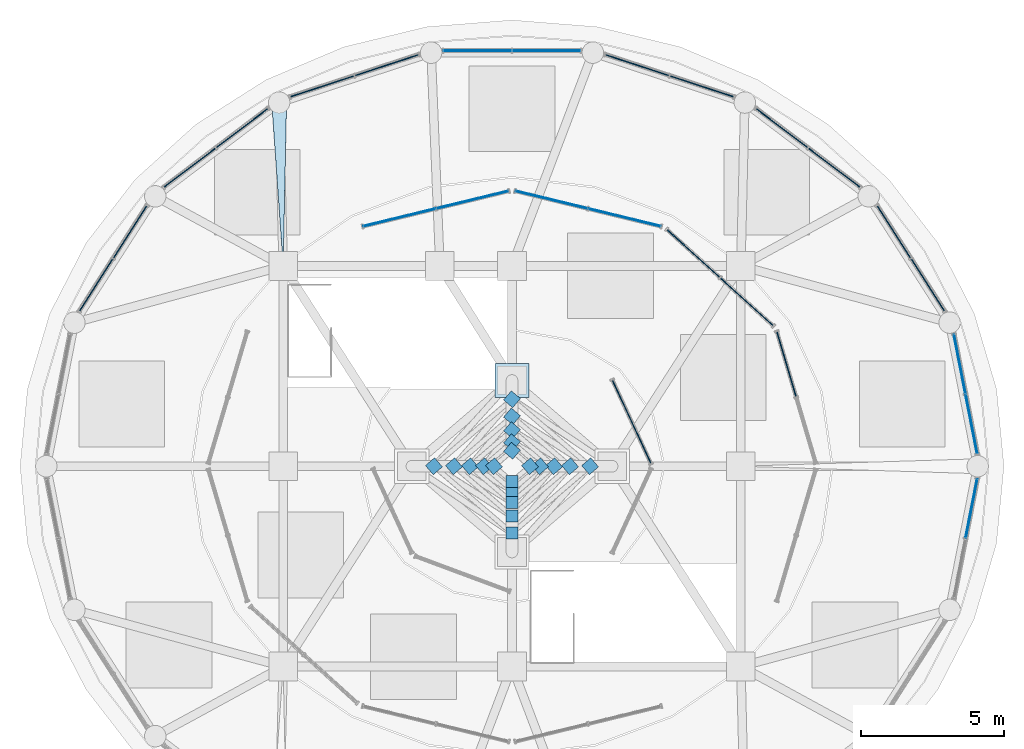
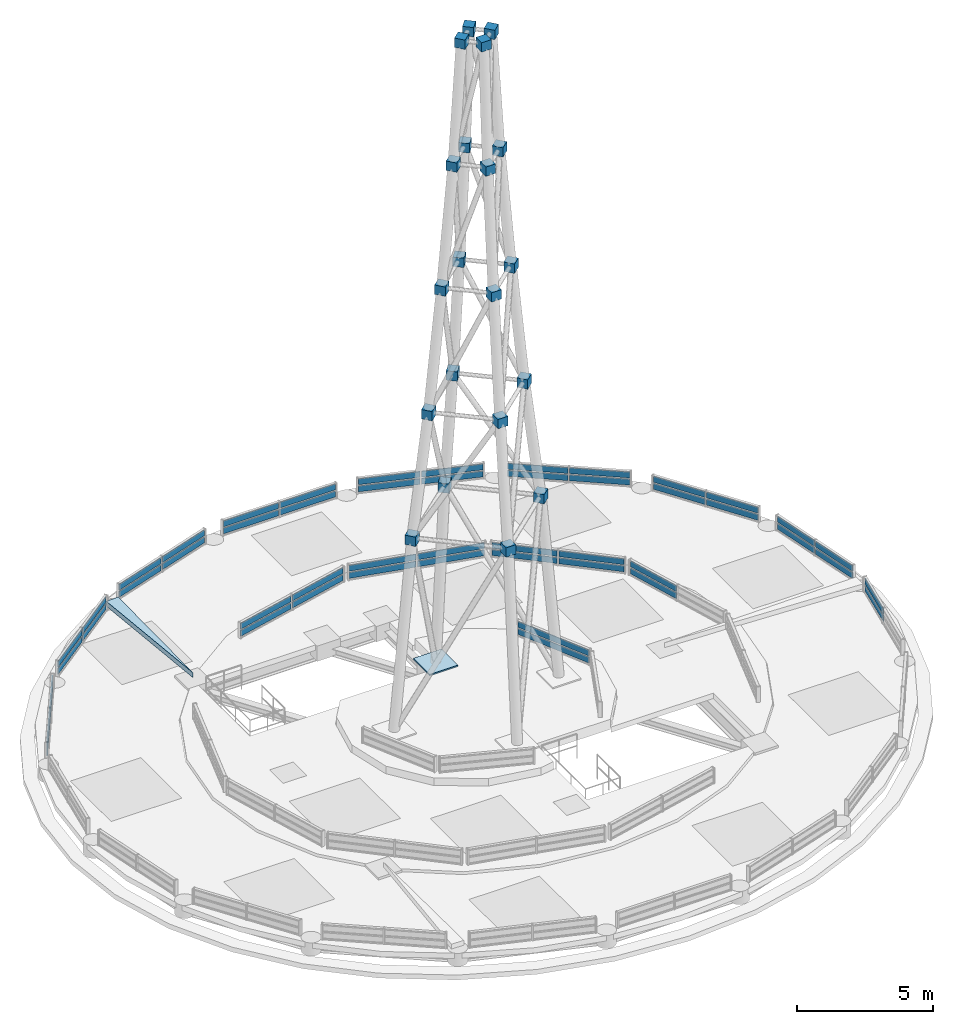
# One storey, part 20 of 21: 51 plates, 20 discrete accessories, 1 slab, 14 elements without a shape of their own.
"""IFC4 building model written with IfcOpenShell, lengths in metres."""

from ifc_helpers import new_model, si_unit, direction, frame, origin, origin_2d, place, context, subcontext, project, spatial, polyline, rectangle, outline, extrude, source, transform, mapped, material, layer, layer_set, type_object, element, aggregate, save


model = new_model("IFC4")

# Units and contexts
model_context = context("Model", 3, precision=1e-05, world=origin(), true_north=direction((0.0, 1.0)))
body_context = subcontext(model_context, "Body", "Model", "MODEL_VIEW")
ifc_project = project(units=[si_unit("LENGTHUNIT", "METRE"), si_unit("AREAUNIT", "SQUARE_METRE"), si_unit("VOLUMEUNIT", "CUBIC_METRE"), si_unit("PLANEANGLEUNIT", "RADIAN"), si_unit("MASSUNIT", "GRAM", prefix="KILO")], contexts=[model_context])

# Site, building, storey
site_placement = place(None, origin())
site = spatial("IfcSite", under=ifc_project, at=site_placement, CompositionType="ELEMENT")
building_placement = place(site_placement, origin())
building = spatial("IfcBuilding", under=site, at=building_placement, Name="Kelanora Arch Commons", CompositionType="ELEMENT")
storey_placement = place(building_placement, frame((0.0, 0.0, 311.10009765625)))
storey = spatial("IfcBuildingStorey", under=building, at=storey_placement, Name="RF", CompositionType="ELEMENT", Elevation=311.10009765625)

# Slab
ifc_material_1 = material(Name="Concrete C40/50", Category="concrete")
ifc_layer_1 = layer(ifc_material_1, 0.219970703125)
ifc_layer_set_1 = layer_set([ifc_layer_1], Name="Concrete C40/50")
slab_type = type_object("IfcSlabType", Name="SLB-DRUM-SLOPE", PredefinedType="ROOF", material=ifc_layer_set_1)
slab_placement = place(storey_placement, frame((65.60009765625, 70.706787109375, 0.829833984375), z_axis=(-0.000435821738, 0.01750687699, 0.9998466479), x_axis=(0.99969028045, 0.024886606324, 0.0)))
element("IfcSlab", 1, at=slab_placement, inside=storey, type_object=slab_type, Name="Sloped Crown Hip Rib 02A", PredefinedType="ROOF", context=body_context, shape_type="SweptSolid", body=[
    extrude(outline(polyline([(0.0, 0.0), (0.5199364251007478, 0.0), (0.2577559220099437, -5.715848355381812), (0.0, 0.0)])), origin(), (0.0, 0.0, -1.0), 0.219970703125),
])

# Plate
ifc_material_2 = material(Name="Steel S355", Category="steel")
ifc_layer_2 = layer(ifc_material_2, 0.06005859375)
ifc_layer_set_2 = layer_set([ifc_layer_2], Name="Steel S355")
plate_type_1 = type_object("IfcPlateType", Name="PLT-MAST-BASE", PredefinedType="SHEET", material=ifc_layer_set_2)
shared_shape_1 = source(origin(), body_context, "Body", "SweptSolid", [
    extrude(rectangle(XDim=1.199951171875, YDim=1.199951171875, at=origin_2d()), origin(), (0.0, 0.0, 1.0), 0.06005859375),
])
plate_1_placement = place(storey_placement, frame((74.0, 61.0, 0.999755859375), z_axis=(0.0, 0.0, 1.0), x_axis=(1.0, 0.0, 0.0)))
element("IfcPlate", 2, at=plate_1_placement, inside=storey, type_object=plate_type_1, Name="Broadcast Mast Base Plate 04", PredefinedType="SHEET", context=body_context, shape_type="MappedRepresentation", body=[
    mapped(shared_shape_1, transform((0.0, 0.0, 0.0), scale=1.0)),
])

# Curtain wall, plates
ifc_material_3 = material(Name="Terracotta ceramic-fritted low-E glass and aluminium", Category="masonry")
ifc_layer_3 = layer(ifc_material_3, 0.14990234375)
ifc_layer_set_3 = layer_set([ifc_layer_3], Name="Terracotta ceramic-fritted low-E glass and aluminium")
curtain_wall_type = type_object("IfcCurtainWallType", Name="CW-SYS-06", PredefinedType="NOTDEFINED", material=ifc_layer_set_3)
curtain_wall_1_placement = place(storey_placement, origin())
curtain_wall_1 = element("IfcCurtainWall", 3, at=curtain_wall_1_placement, inside=storey, type_object=curtain_wall_type, Name="Sloped Glass Crown Lantern T1-01", PredefinedType="NOTDEFINED")
ifc_material_4 = material(Name="Clear laminated solar-control double glazing", Category="glass")
ifc_layer_4 = layer(ifc_material_4, 0.033935546875)
ifc_layer_set_4 = layer_set([ifc_layer_4], Name="Clear laminated solar-control double glazing")
plate_type_2 = type_object("IfcPlateType", Name="CWP-CLR", PredefinedType="CURTAIN_PANEL", material=ifc_layer_set_4)
shared_shape_2 = source(origin(), body_context, "Body", "SweptSolid", [
    extrude(rectangle(XDim=2.080078125, YDim=0.033935546875, at=origin_2d()), origin(), (0.0, 0.0, 1.0), 0.260009765625),
])
plate_2_placement = place(storey_placement, frame((90.062255859375, 59.47216796875, 0.64990234375), z_axis=(0.0, 0.0, 1.0), x_axis=(-0.191834076021, 0.98142737239, 0.0)))
plate_2 = element("IfcPlate", 4, at=plate_2_placement, type_object=plate_type_2, Name="CW-06 panel 1.1", PredefinedType="CURTAIN_PANEL", context=body_context, shape_type="MappedRepresentation", body=[
    mapped(shared_shape_2, transform((0.0, 0.0, 0.0), scale=1.0)),
])
plate_3_placement = place(storey_placement, frame((90.062255859375, 59.47216796875, 0.9697265625), z_axis=(0.0, 0.0, 1.0), x_axis=(-0.191834076021, 0.98142737239, 0.0)))
plate_3 = element("IfcPlate", 5, at=plate_3_placement, type_object=plate_type_2, Name="CW-06 panel 1.2", PredefinedType="CURTAIN_PANEL", context=body_context, shape_type="MappedRepresentation", body=[
    mapped(shared_shape_2, transform((0.0, 0.0, 0.0), scale=1.0)),
])
plate_4_placement = place(storey_placement, frame((89.651611328125, 61.572509765625, 0.64990234375), z_axis=(0.0, 0.0, 1.0), x_axis=(-0.191834076021, 0.98142737239, 0.0)))
plate_4 = element("IfcPlate", 6, at=plate_4_placement, type_object=plate_type_2, Name="CW-06 panel 2.1", PredefinedType="CURTAIN_PANEL", context=body_context, shape_type="MappedRepresentation", body=[
    mapped(shared_shape_2, transform((0.0, 0.0, 0.0), scale=1.0)),
])
plate_5_placement = place(storey_placement, frame((89.651611328125, 61.572509765625, 0.9697265625), z_axis=(0.0, 0.0, 1.0), x_axis=(-0.191834076021, 0.98142737239, 0.0)))
plate_5 = element("IfcPlate", 7, at=plate_5_placement, type_object=plate_type_2, Name="CW-06 panel 2.2", PredefinedType="CURTAIN_PANEL", context=body_context, shape_type="MappedRepresentation", body=[
    mapped(shared_shape_2, transform((0.0, 0.0, 0.0), scale=1.0)),
])
aggregate(curtain_wall_1, [plate_2, plate_3, plate_4, plate_5])

curtain_wall_2_placement = place(storey_placement, origin())
curtain_wall_2 = element("IfcCurtainWall", 8, at=curtain_wall_2_placement, inside=storey, type_object=curtain_wall_type, Name="Sloped Glass Crown Lantern T1-18", PredefinedType="NOTDEFINED")
plate_6_placement = place(storey_placement, frame((90.062255859375, 56.52783203125, 0.64990234375), z_axis=(0.0, 0.0, 1.0), x_axis=(0.191834076021, 0.98142737239, 0.0)))
plate_6 = element("IfcPlate", 9, at=plate_6_placement, type_object=plate_type_2, Name="CW-06 panel 2.1", PredefinedType="CURTAIN_PANEL", context=body_context, shape_type="MappedRepresentation", body=[
    mapped(shared_shape_2, transform((0.0, 0.0, 0.0), scale=1.0)),
])
plate_7_placement = place(storey_placement, frame((90.062255859375, 56.52783203125, 0.9697265625), z_axis=(0.0, 0.0, 1.0), x_axis=(0.191834076021, 0.98142737239, 0.0)))
plate_7 = element("IfcPlate", 10, at=plate_7_placement, type_object=plate_type_2, Name="CW-06 panel 2.2", PredefinedType="CURTAIN_PANEL", context=body_context, shape_type="MappedRepresentation", body=[
    mapped(shared_shape_2, transform((0.0, 0.0, 0.0), scale=1.0)),
])
aggregate(curtain_wall_2, [plate_6, plate_7])

curtain_wall_3_placement = place(storey_placement, origin())
curtain_wall_3 = element("IfcCurtainWall", 11, at=curtain_wall_3_placement, inside=storey, type_object=curtain_wall_type, Name="Sloped Glass Crown Lantern T1-02", PredefinedType="NOTDEFINED")
shared_shape_3 = source(origin(), body_context, "Body", "SweptSolid", [
    extrude(rectangle(XDim=2.1435546875, YDim=0.033935546875, at=origin_2d()), origin(), (0.0, 0.0, 1.0), 0.260009765625),
])
plate_8_placement = place(storey_placement, frame((88.538330078125, 64.3349609375, 0.64990234375), z_axis=(0.0, 0.0, 1.0), x_axis=(-0.539053696421, 0.842271400663, 0.0)))
plate_8 = element("IfcPlate", 12, at=plate_8_placement, type_object=plate_type_2, Name="CW-06 panel 1.1", PredefinedType="CURTAIN_PANEL", context=body_context, shape_type="MappedRepresentation", body=[
    mapped(shared_shape_3, transform((0.0, 0.0, 0.0), scale=1.0)),
])
plate_9_placement = place(storey_placement, frame((88.538330078125, 64.3349609375, 0.9697265625), z_axis=(0.0, 0.0, 1.0), x_axis=(-0.539053696421, 0.842271400663, 0.0)))
plate_9 = element("IfcPlate", 13, at=plate_9_placement, type_object=plate_type_2, Name="CW-06 panel 1.2", PredefinedType="CURTAIN_PANEL", context=body_context, shape_type="MappedRepresentation", body=[
    mapped(shared_shape_3, transform((0.0, 0.0, 0.0), scale=1.0)),
])
plate_10_placement = place(storey_placement, frame((87.3505859375, 66.19091796875, 0.64990234375), z_axis=(0.0, 0.0, 1.0), x_axis=(-0.539053696421, 0.842271400663, 0.0)))
plate_10 = element("IfcPlate", 14, at=plate_10_placement, type_object=plate_type_2, Name="CW-06 panel 2.1", PredefinedType="CURTAIN_PANEL", context=body_context, shape_type="MappedRepresentation", body=[
    mapped(shared_shape_3, transform((0.0, 0.0, 0.0), scale=1.0)),
])
plate_11_placement = place(storey_placement, frame((87.3505859375, 66.19091796875, 0.9697265625), z_axis=(0.0, 0.0, 1.0), x_axis=(-0.539053696421, 0.842271400663, 0.0)))
plate_11 = element("IfcPlate", 15, at=plate_11_placement, type_object=plate_type_2, Name="CW-06 panel 2.2", PredefinedType="CURTAIN_PANEL", context=body_context, shape_type="MappedRepresentation", body=[
    mapped(shared_shape_3, transform((0.0, 0.0, 0.0), scale=1.0)),
])
aggregate(curtain_wall_3, [plate_8, plate_9, plate_10, plate_11])

curtain_wall_4_placement = place(storey_placement, origin())
curtain_wall_4 = element("IfcCurtainWall", 16, at=curtain_wall_4_placement, inside=storey, type_object=curtain_wall_type, Name="Sloped Glass Crown Lantern T1-08", PredefinedType="NOTDEFINED")
plate_12_placement = place(storey_placement, frame((60.6494140625, 66.19091796875, 0.64990234375), z_axis=(0.0, 0.0, 1.0), x_axis=(-0.539053696421, -0.842271400663, 0.0)))
plate_12 = element("IfcPlate", 17, at=plate_12_placement, type_object=plate_type_2, Name="CW-06 panel 1.1", PredefinedType="CURTAIN_PANEL", context=body_context, shape_type="MappedRepresentation", body=[
    mapped(shared_shape_3, transform((0.0, 0.0, 0.0), scale=1.0)),
])
plate_13_placement = place(storey_placement, frame((60.6494140625, 66.19091796875, 0.9697265625), z_axis=(0.0, 0.0, 1.0), x_axis=(-0.539053696421, -0.842271400663, 0.0)))
plate_13 = element("IfcPlate", 18, at=plate_13_placement, type_object=plate_type_2, Name="CW-06 panel 1.2", PredefinedType="CURTAIN_PANEL", context=body_context, shape_type="MappedRepresentation", body=[
    mapped(shared_shape_3, transform((0.0, 0.0, 0.0), scale=1.0)),
])
plate_14_placement = place(storey_placement, frame((59.461669921875, 64.3349609375, 0.64990234375), z_axis=(0.0, 0.0, 1.0), x_axis=(-0.539053696421, -0.842271400663, 0.0)))
plate_14 = element("IfcPlate", 19, at=plate_14_placement, type_object=plate_type_2, Name="CW-06 panel 2.1", PredefinedType="CURTAIN_PANEL", context=body_context, shape_type="MappedRepresentation", body=[
    mapped(shared_shape_3, transform((0.0, 0.0, 0.0), scale=1.0)),
])
plate_15_placement = place(storey_placement, frame((59.461669921875, 64.3349609375, 0.9697265625), z_axis=(0.0, 0.0, 1.0), x_axis=(-0.539053696421, -0.842271400663, 0.0)))
plate_15 = element("IfcPlate", 20, at=plate_15_placement, type_object=plate_type_2, Name="CW-06 panel 2.2", PredefinedType="CURTAIN_PANEL", context=body_context, shape_type="MappedRepresentation", body=[
    mapped(shared_shape_3, transform((0.0, 0.0, 0.0), scale=1.0)),
])
aggregate(curtain_wall_4, [plate_12, plate_13, plate_14, plate_15])

curtain_wall_5_placement = place(storey_placement, origin())
curtain_wall_5 = element("IfcCurtainWall", 21, at=curtain_wall_5_placement, inside=storey, type_object=curtain_wall_type, Name="Sloped Glass Crown Lantern T1-03", PredefinedType="NOTDEFINED")
shared_shape_4 = source(origin(), body_context, "Body", "SweptSolid", [
    extrude(rectangle(XDim=2.23779296875, YDim=0.033935546875, at=origin_2d()), origin(), (0.0, 0.0, 1.0), 0.260009765625),
])
plate_16_placement = place(storey_placement, frame((85.265869140625, 68.43408203125, 0.64990234375), z_axis=(0.0, 0.0, 1.0), x_axis=(-0.797311399937, 0.603568166432, 0.0)))
plate_16 = element("IfcPlate", 22, at=plate_16_placement, type_object=plate_type_2, Name="CW-06 panel 1.1", PredefinedType="CURTAIN_PANEL", context=body_context, shape_type="MappedRepresentation", body=[
    mapped(shared_shape_4, transform((0.0, 0.0, 0.0), scale=1.0)),
])
plate_17_placement = place(storey_placement, frame((85.265869140625, 68.43408203125, 0.9697265625), z_axis=(0.0, 0.0, 1.0), x_axis=(-0.797311399937, 0.603568166432, 0.0)))
plate_17 = element("IfcPlate", 23, at=plate_17_placement, type_object=plate_type_2, Name="CW-06 panel 1.2", PredefinedType="CURTAIN_PANEL", context=body_context, shape_type="MappedRepresentation", body=[
    mapped(shared_shape_4, transform((0.0, 0.0, 0.0), scale=1.0)),
])
plate_18_placement = place(storey_placement, frame((83.433837890625, 69.821044921875, 0.64990234375), z_axis=(0.0, 0.0, 1.0), x_axis=(-0.797311399937, 0.603568166432, 0.0)))
plate_18 = element("IfcPlate", 24, at=plate_18_placement, type_object=plate_type_2, Name="CW-06 panel 2.1", PredefinedType="CURTAIN_PANEL", context=body_context, shape_type="MappedRepresentation", body=[
    mapped(shared_shape_4, transform((0.0, 0.0, 0.0), scale=1.0)),
])
plate_19_placement = place(storey_placement, frame((83.433837890625, 69.821044921875, 0.9697265625), z_axis=(0.0, 0.0, 1.0), x_axis=(-0.797311399937, 0.603568166432, 0.0)))
plate_19 = element("IfcPlate", 25, at=plate_19_placement, type_object=plate_type_2, Name="CW-06 panel 2.2", PredefinedType="CURTAIN_PANEL", context=body_context, shape_type="MappedRepresentation", body=[
    mapped(shared_shape_4, transform((0.0, 0.0, 0.0), scale=1.0)),
])
aggregate(curtain_wall_5, [plate_16, plate_17, plate_18, plate_19])

curtain_wall_6_placement = place(storey_placement, origin())
curtain_wall_6 = element("IfcCurtainWall", 26, at=curtain_wall_6_placement, inside=storey, type_object=curtain_wall_type, Name="Sloped Glass Crown Lantern T1-07", PredefinedType="NOTDEFINED")
plate_20_placement = place(storey_placement, frame((64.566162109375, 69.821044921875, 0.64990234375), z_axis=(0.0, 0.0, 1.0), x_axis=(-0.797311399937, -0.603568166432, 0.0)))
plate_20 = element("IfcPlate", 27, at=plate_20_placement, type_object=plate_type_2, Name="CW-06 panel 1.1", PredefinedType="CURTAIN_PANEL", context=body_context, shape_type="MappedRepresentation", body=[
    mapped(shared_shape_4, transform((0.0, 0.0, 0.0), scale=1.0)),
])
plate_21_placement = place(storey_placement, frame((64.566162109375, 69.821044921875, 0.9697265625), z_axis=(0.0, 0.0, 1.0), x_axis=(-0.797311399937, -0.603568166432, 0.0)))
plate_21 = element("IfcPlate", 28, at=plate_21_placement, type_object=plate_type_2, Name="CW-06 panel 1.2", PredefinedType="CURTAIN_PANEL", context=body_context, shape_type="MappedRepresentation", body=[
    mapped(shared_shape_4, transform((0.0, 0.0, 0.0), scale=1.0)),
])
plate_22_placement = place(storey_placement, frame((62.734130859375, 68.43408203125, 0.64990234375), z_axis=(0.0, 0.0, 1.0), x_axis=(-0.797311399937, -0.603568166432, 0.0)))
plate_22 = element("IfcPlate", 29, at=plate_22_placement, type_object=plate_type_2, Name="CW-06 panel 2.1", PredefinedType="CURTAIN_PANEL", context=body_context, shape_type="MappedRepresentation", body=[
    mapped(shared_shape_4, transform((0.0, 0.0, 0.0), scale=1.0)),
])
plate_23_placement = place(storey_placement, frame((62.734130859375, 68.43408203125, 0.9697265625), z_axis=(0.0, 0.0, 1.0), x_axis=(-0.797311399937, -0.603568166432, 0.0)))
plate_23 = element("IfcPlate", 30, at=plate_23_placement, type_object=plate_type_2, Name="CW-06 panel 2.2", PredefinedType="CURTAIN_PANEL", context=body_context, shape_type="MappedRepresentation", body=[
    mapped(shared_shape_4, transform((0.0, 0.0, 0.0), scale=1.0)),
])
aggregate(curtain_wall_6, [plate_20, plate_21, plate_22, plate_23])

curtain_wall_7_placement = place(storey_placement, origin())
curtain_wall_7 = element("IfcCurtainWall", 31, at=curtain_wall_7_placement, inside=storey, type_object=curtain_wall_type, Name="Sloped Glass Crown Lantern T1-04", PredefinedType="NOTDEFINED")
shared_shape_5 = source(origin(), body_context, "Body", "SweptSolid", [
    extrude(rectangle(XDim=2.318115234375, YDim=0.033935546875, at=origin_2d()), origin(), (0.0, 0.0, 1.0), 0.260009765625),
])
plate_24_placement = place(storey_placement, frame((80.63671875, 71.279052734375, 0.64990234375), z_axis=(0.0, 0.0, 1.0), x_axis=(-0.950100073645, 0.311945267732, 0.0)))
plate_24 = element("IfcPlate", 32, at=plate_24_placement, type_object=plate_type_2, Name="CW-06 panel 1.1", PredefinedType="CURTAIN_PANEL", context=body_context, shape_type="MappedRepresentation", body=[
    mapped(shared_shape_5, transform((0.0, 0.0, 0.0), scale=1.0)),
])
plate_25_placement = place(storey_placement, frame((80.63671875, 71.279052734375, 0.9697265625), z_axis=(0.0, 0.0, 1.0), x_axis=(-0.950100073645, 0.311945267732, 0.0)))
plate_25 = element("IfcPlate", 33, at=plate_25_placement, type_object=plate_type_2, Name="CW-06 panel 1.2", PredefinedType="CURTAIN_PANEL", context=body_context, shape_type="MappedRepresentation", body=[
    mapped(shared_shape_5, transform((0.0, 0.0, 0.0), scale=1.0)),
])
plate_26_placement = place(storey_placement, frame((78.37744140625, 72.020751953125, 0.64990234375), z_axis=(0.0, 0.0, 1.0), x_axis=(-0.950100073645, 0.311945267732, 0.0)))
plate_26 = element("IfcPlate", 34, at=plate_26_placement, type_object=plate_type_2, Name="CW-06 panel 2.1", PredefinedType="CURTAIN_PANEL", context=body_context, shape_type="MappedRepresentation", body=[
    mapped(shared_shape_5, transform((0.0, 0.0, 0.0), scale=1.0)),
])
plate_27_placement = place(storey_placement, frame((78.37744140625, 72.020751953125, 0.9697265625), z_axis=(0.0, 0.0, 1.0), x_axis=(-0.950100073645, 0.311945267732, 0.0)))
plate_27 = element("IfcPlate", 35, at=plate_27_placement, type_object=plate_type_2, Name="CW-06 panel 2.2", PredefinedType="CURTAIN_PANEL", context=body_context, shape_type="MappedRepresentation", body=[
    mapped(shared_shape_5, transform((0.0, 0.0, 0.0), scale=1.0)),
])
aggregate(curtain_wall_7, [plate_24, plate_25, plate_26, plate_27])

curtain_wall_8_placement = place(storey_placement, origin())
curtain_wall_8 = element("IfcCurtainWall", 36, at=curtain_wall_8_placement, inside=storey, type_object=curtain_wall_type, Name="Sloped Glass Crown Lantern T1-06", PredefinedType="NOTDEFINED")
plate_28_placement = place(storey_placement, frame((69.62255859375, 72.020751953125, 0.64990234375), z_axis=(0.0, 0.0, 1.0), x_axis=(-0.950100073645, -0.311945267732, 0.0)))
plate_28 = element("IfcPlate", 37, at=plate_28_placement, type_object=plate_type_2, Name="CW-06 panel 1.1", PredefinedType="CURTAIN_PANEL", context=body_context, shape_type="MappedRepresentation", body=[
    mapped(shared_shape_5, transform((0.0, 0.0, 0.0), scale=1.0)),
])
plate_29_placement = place(storey_placement, frame((69.62255859375, 72.020751953125, 0.9697265625), z_axis=(0.0, 0.0, 1.0), x_axis=(-0.950100073645, -0.311945267732, 0.0)))
plate_29 = element("IfcPlate", 38, at=plate_29_placement, type_object=plate_type_2, Name="CW-06 panel 1.2", PredefinedType="CURTAIN_PANEL", context=body_context, shape_type="MappedRepresentation", body=[
    mapped(shared_shape_5, transform((0.0, 0.0, 0.0), scale=1.0)),
])
plate_30_placement = place(storey_placement, frame((67.36328125, 71.279052734375, 0.64990234375), z_axis=(0.0, 0.0, 1.0), x_axis=(-0.950100073645, -0.311945267732, 0.0)))
plate_30 = element("IfcPlate", 39, at=plate_30_placement, type_object=plate_type_2, Name="CW-06 panel 2.1", PredefinedType="CURTAIN_PANEL", context=body_context, shape_type="MappedRepresentation", body=[
    mapped(shared_shape_5, transform((0.0, 0.0, 0.0), scale=1.0)),
])
plate_31_placement = place(storey_placement, frame((67.36328125, 71.279052734375, 0.9697265625), z_axis=(0.0, 0.0, 1.0), x_axis=(-0.950100073645, -0.311945267732, 0.0)))
plate_31 = element("IfcPlate", 40, at=plate_31_placement, type_object=plate_type_2, Name="CW-06 panel 2.2", PredefinedType="CURTAIN_PANEL", context=body_context, shape_type="MappedRepresentation", body=[
    mapped(shared_shape_5, transform((0.0, 0.0, 0.0), scale=1.0)),
])
aggregate(curtain_wall_8, [plate_28, plate_29, plate_30, plate_31])

curtain_wall_9_placement = place(storey_placement, origin())
curtain_wall_9 = element("IfcCurtainWall", 41, at=curtain_wall_9_placement, inside=storey, type_object=curtain_wall_type, Name="Sloped Glass Crown Lantern T1-05", PredefinedType="NOTDEFINED")
shared_shape_6 = source(origin(), body_context, "Body", "SweptSolid", [
    extrude(rectangle(XDim=2.34912109375, YDim=0.033935546875, at=origin_2d()), origin(), (0.0, 0.0, 1.0), 0.260009765625),
])
plate_32_placement = place(storey_placement, frame((75.20458984375, 72.52587890625, 0.64990234375), z_axis=(0.0, 0.0, 1.0), x_axis=(-1.0, 0.0, 0.0)))
plate_32 = element("IfcPlate", 42, at=plate_32_placement, type_object=plate_type_2, Name="CW-06 panel 1.1", PredefinedType="CURTAIN_PANEL", context=body_context, shape_type="MappedRepresentation", body=[
    mapped(shared_shape_6, transform((0.0, 0.0, 0.0), scale=1.0)),
])
plate_33_placement = place(storey_placement, frame((75.20458984375, 72.52587890625, 0.9697265625), z_axis=(0.0, 0.0, 1.0), x_axis=(-1.0, 0.0, 0.0)))
plate_33 = element("IfcPlate", 43, at=plate_33_placement, type_object=plate_type_2, Name="CW-06 panel 1.2", PredefinedType="CURTAIN_PANEL", context=body_context, shape_type="MappedRepresentation", body=[
    mapped(shared_shape_6, transform((0.0, 0.0, 0.0), scale=1.0)),
])
plate_34_placement = place(storey_placement, frame((72.79541015625, 72.52587890625, 0.64990234375), z_axis=(0.0, 0.0, 1.0), x_axis=(-1.0, 0.0, 0.0)))
plate_34 = element("IfcPlate", 44, at=plate_34_placement, type_object=plate_type_2, Name="CW-06 panel 2.1", PredefinedType="CURTAIN_PANEL", context=body_context, shape_type="MappedRepresentation", body=[
    mapped(shared_shape_6, transform((0.0, 0.0, 0.0), scale=1.0)),
])
plate_35_placement = place(storey_placement, frame((72.79541015625, 72.52587890625, 0.9697265625), z_axis=(0.0, 0.0, 1.0), x_axis=(-1.0, 0.0, 0.0)))
plate_35 = element("IfcPlate", 45, at=plate_35_placement, type_object=plate_type_2, Name="CW-06 panel 2.2", PredefinedType="CURTAIN_PANEL", context=body_context, shape_type="MappedRepresentation", body=[
    mapped(shared_shape_6, transform((0.0, 0.0, 0.0), scale=1.0)),
])
aggregate(curtain_wall_9, [plate_32, plate_33, plate_34, plate_35])

curtain_wall_10_placement = place(storey_placement, origin())
curtain_wall_10 = element("IfcCurtainWall", 46, at=curtain_wall_10_placement, inside=storey, type_object=curtain_wall_type, Name="Sloped Glass Crown Lantern T2-01", PredefinedType="NOTDEFINED")
shared_shape_7 = source(origin(), body_context, "Body", "SweptSolid", [
    extrude(rectangle(XDim=2.345703125, YDim=0.033935546875, at=origin_2d()), origin(), (0.0, 0.0, 1.0), 0.260009765625),
])
plate_36_placement = place(storey_placement, frame((83.595458984375, 61.56591796875, 0.75), z_axis=(0.0, 0.0, 1.0), x_axis=(-0.283564103379, 0.958953283156, 0.0)))
plate_36 = element("IfcPlate", 47, at=plate_36_placement, type_object=plate_type_2, Name="CW-06 panel 2.1", PredefinedType="CURTAIN_PANEL", context=body_context, shape_type="MappedRepresentation", body=[
    mapped(shared_shape_7, transform((0.0, 0.0, 0.0), scale=1.0)),
])
plate_37_placement = place(storey_placement, frame((83.595458984375, 61.56591796875, 1.06982421875), z_axis=(0.0, 0.0, 1.0), x_axis=(-0.283564103379, 0.958953283156, 0.0)))
plate_37 = element("IfcPlate", 48, at=plate_37_placement, type_object=plate_type_2, Name="CW-06 panel 2.2", PredefinedType="CURTAIN_PANEL", context=body_context, shape_type="MappedRepresentation", body=[
    mapped(shared_shape_7, transform((0.0, 0.0, 0.0), scale=1.0)),
])
aggregate(curtain_wall_10, [plate_36, plate_37])

curtain_wall_11_placement = place(storey_placement, origin())
curtain_wall_11 = element("IfcCurtainWall", 49, at=curtain_wall_11_placement, inside=storey, type_object=curtain_wall_type, Name="Sloped Glass Crown Lantern T2-02", PredefinedType="NOTDEFINED")
shared_shape_8 = source(origin(), body_context, "Body", "SweptSolid", [
    extrude(rectangle(XDim=2.460205078125, YDim=0.033935546875, at=origin_2d()), origin(), (0.0, 0.0, 1.0), 0.260009765625),
])
plate_38_placement = place(storey_placement, frame((82.207763671875, 63.744873046875, 0.75), z_axis=(0.0, 0.0, 1.0), x_axis=(-0.741041825736, 0.671458868814, 0.0)))
plate_38 = element("IfcPlate", 50, at=plate_38_placement, type_object=plate_type_2, Name="CW-06 panel 1.1", PredefinedType="CURTAIN_PANEL", context=body_context, shape_type="MappedRepresentation", body=[
    mapped(shared_shape_8, transform((0.0, 0.0, 0.0), scale=1.0)),
])
plate_39_placement = place(storey_placement, frame((82.207763671875, 63.744873046875, 1.06982421875), z_axis=(0.0, 0.0, 1.0), x_axis=(-0.741041825736, 0.671458868814, 0.0)))
plate_39 = element("IfcPlate", 51, at=plate_39_placement, type_object=plate_type_2, Name="CW-06 panel 1.2", PredefinedType="CURTAIN_PANEL", context=body_context, shape_type="MappedRepresentation", body=[
    mapped(shared_shape_8, transform((0.0, 0.0, 0.0), scale=1.0)),
])
plate_40_placement = place(storey_placement, frame((80.34033203125, 65.437255859375, 0.75), z_axis=(0.0, 0.0, 1.0), x_axis=(-0.741041825736, 0.671458868814, 0.0)))
plate_40 = element("IfcPlate", 52, at=plate_40_placement, type_object=plate_type_2, Name="CW-06 panel 2.1", PredefinedType="CURTAIN_PANEL", context=body_context, shape_type="MappedRepresentation", body=[
    mapped(shared_shape_8, transform((0.0, 0.0, 0.0), scale=1.0)),
])
plate_41_placement = place(storey_placement, frame((80.34033203125, 65.437255859375, 1.06982421875), z_axis=(0.0, 0.0, 1.0), x_axis=(-0.741041825736, 0.671458868814, 0.0)))
plate_41 = element("IfcPlate", 53, at=plate_41_placement, type_object=plate_type_2, Name="CW-06 panel 2.2", PredefinedType="CURTAIN_PANEL", context=body_context, shape_type="MappedRepresentation", body=[
    mapped(shared_shape_8, transform((0.0, 0.0, 0.0), scale=1.0)),
])
aggregate(curtain_wall_11, [plate_38, plate_39, plate_40, plate_41])

curtain_wall_12_placement = place(storey_placement, origin())
curtain_wall_12 = element("IfcCurtainWall", 54, at=curtain_wall_12_placement, inside=storey, type_object=curtain_wall_type, Name="Sloped Glass Crown Lantern T2-03", PredefinedType="NOTDEFINED")
shared_shape_9 = source(origin(), body_context, "Body", "SweptSolid", [
    extrude(rectangle(XDim=2.56982421875, YDim=0.033935546875, at=origin_2d()), origin(), (0.0, 0.0, 1.0), 0.260009765625),
])
plate_42_placement = place(storey_placement, frame((77.9404296875, 66.693359375, 0.75), z_axis=(0.0, 0.0, 1.0), x_axis=(-0.971769836824, 0.235930888692, 0.0)))
plate_42 = element("IfcPlate", 55, at=plate_42_placement, type_object=plate_type_2, Name="CW-06 panel 1.1", PredefinedType="CURTAIN_PANEL", context=body_context, shape_type="MappedRepresentation", body=[
    mapped(shared_shape_9, transform((0.0, 0.0, 0.0), scale=1.0)),
])
plate_43_placement = place(storey_placement, frame((77.9404296875, 66.693359375, 1.06982421875), z_axis=(0.0, 0.0, 1.0), x_axis=(-0.971769836824, 0.235930888692, 0.0)))
plate_43 = element("IfcPlate", 56, at=plate_43_placement, type_object=plate_type_2, Name="CW-06 panel 1.2", PredefinedType="CURTAIN_PANEL", context=body_context, shape_type="MappedRepresentation", body=[
    mapped(shared_shape_9, transform((0.0, 0.0, 0.0), scale=1.0)),
])
plate_44_placement = place(storey_placement, frame((75.384765625, 67.313720703125, 0.75), z_axis=(0.0, 0.0, 1.0), x_axis=(-0.971769836824, 0.235930888692, 0.0)))
plate_44 = element("IfcPlate", 57, at=plate_44_placement, type_object=plate_type_2, Name="CW-06 panel 2.1", PredefinedType="CURTAIN_PANEL", context=body_context, shape_type="MappedRepresentation", body=[
    mapped(shared_shape_9, transform((0.0, 0.0, 0.0), scale=1.0)),
])
plate_45_placement = place(storey_placement, frame((75.384765625, 67.313720703125, 1.06982421875), z_axis=(0.0, 0.0, 1.0), x_axis=(-0.971769836824, 0.235930888692, 0.0)))
plate_45 = element("IfcPlate", 58, at=plate_45_placement, type_object=plate_type_2, Name="CW-06 panel 2.2", PredefinedType="CURTAIN_PANEL", context=body_context, shape_type="MappedRepresentation", body=[
    mapped(shared_shape_9, transform((0.0, 0.0, 0.0), scale=1.0)),
])
aggregate(curtain_wall_12, [plate_42, plate_43, plate_44, plate_45])

curtain_wall_13_placement = place(storey_placement, origin())
curtain_wall_13 = element("IfcCurtainWall", 59, at=curtain_wall_13_placement, inside=storey, type_object=curtain_wall_type, Name="Sloped Glass Crown Lantern T2-04", PredefinedType="NOTDEFINED")
plate_46_placement = place(storey_placement, frame((72.615234375, 67.313720703125, 0.75), z_axis=(0.0, 0.0, 1.0), x_axis=(-0.971769836824, -0.235930888692, 0.0)))
plate_46 = element("IfcPlate", 60, at=plate_46_placement, type_object=plate_type_2, Name="CW-06 panel 1.1", PredefinedType="CURTAIN_PANEL", context=body_context, shape_type="MappedRepresentation", body=[
    mapped(shared_shape_9, transform((0.0, 0.0, 0.0), scale=1.0)),
])
plate_47_placement = place(storey_placement, frame((72.615234375, 67.313720703125, 1.06982421875), z_axis=(0.0, 0.0, 1.0), x_axis=(-0.971769836824, -0.235930888692, 0.0)))
plate_47 = element("IfcPlate", 61, at=plate_47_placement, type_object=plate_type_2, Name="CW-06 panel 1.2", PredefinedType="CURTAIN_PANEL", context=body_context, shape_type="MappedRepresentation", body=[
    mapped(shared_shape_9, transform((0.0, 0.0, 0.0), scale=1.0)),
])
plate_48_placement = place(storey_placement, frame((70.0595703125, 66.693359375, 0.75), z_axis=(0.0, 0.0, 1.0), x_axis=(-0.971769836824, -0.235930888692, 0.0)))
plate_48 = element("IfcPlate", 62, at=plate_48_placement, type_object=plate_type_2, Name="CW-06 panel 2.1", PredefinedType="CURTAIN_PANEL", context=body_context, shape_type="MappedRepresentation", body=[
    mapped(shared_shape_9, transform((0.0, 0.0, 0.0), scale=1.0)),
])
plate_49_placement = place(storey_placement, frame((70.0595703125, 66.693359375, 1.06982421875), z_axis=(0.0, 0.0, 1.0), x_axis=(-0.971769836824, -0.235930888692, 0.0)))
plate_49 = element("IfcPlate", 63, at=plate_49_placement, type_object=plate_type_2, Name="CW-06 panel 2.2", PredefinedType="CURTAIN_PANEL", context=body_context, shape_type="MappedRepresentation", body=[
    mapped(shared_shape_9, transform((0.0, 0.0, 0.0), scale=1.0)),
])
aggregate(curtain_wall_13, [plate_46, plate_47, plate_48, plate_49])

curtain_wall_14_placement = place(storey_placement, origin())
curtain_wall_14 = element("IfcCurtainWall", 64, at=curtain_wall_14_placement, inside=storey, type_object=curtain_wall_type, Name="Sloped Glass Crown Lantern T3-01", PredefinedType="NOTDEFINED")
shared_shape_10 = source(origin(), body_context, "Body", "SweptSolid", [
    extrude(rectangle(XDim=3.186279296875, YDim=0.033935546875, at=origin_2d()), origin(), (0.0, 0.0, 1.0), 0.260009765625),
])
plate_50_placement = place(storey_placement, frame((78.182373046875, 59.5556640625, 1.06005859375), z_axis=(0.0, 0.0, 1.0), x_axis=(-0.418889389916, 0.908037267416, 0.0)))
plate_50 = element("IfcPlate", 65, at=plate_50_placement, type_object=plate_type_2, Name="CW-06 panel 1.1", PredefinedType="CURTAIN_PANEL", context=body_context, shape_type="MappedRepresentation", body=[
    mapped(shared_shape_10, transform((0.0, 0.0, 0.0), scale=1.0)),
])
plate_51_placement = place(storey_placement, frame((78.182373046875, 59.5556640625, 1.3798828125), z_axis=(0.0, 0.0, 1.0), x_axis=(-0.418889389916, 0.908037267416, 0.0)))
plate_51 = element("IfcPlate", 66, at=plate_51_placement, type_object=plate_type_2, Name="CW-06 panel 1.2", PredefinedType="CURTAIN_PANEL", context=body_context, shape_type="MappedRepresentation", body=[
    mapped(shared_shape_10, transform((0.0, 0.0, 0.0), scale=1.0)),
])
aggregate(curtain_wall_14, [plate_50, plate_51])

# Discrete accessories
discrete_accessory_type = type_object("IfcDiscreteAccessoryType", Name="ACC-BRC-CONN", PredefinedType="BRACKET", material=ifc_material_2)
shared_shape_11 = source(origin(), body_context, "Body", "SweptSolid", [
    extrude(rectangle(XDim=0.419921875, YDim=0.419921875, at=origin_2d()), origin(), (0.0, 0.0, 1.0), 0.419921875),
])
for number, where, z_axis, x_axis, name in (
    (67, (74.0, 55.659912109375, 9.18994140625), (0.0, 0.0, 1.0), (0.0, 1.0, 0.0), "Brace and Strut Gusset End Connection 0252"),
    (68, (76.72998046875, 58.0, 9.18994140625), (0.0, 0.0, 1.0), (0.759271307335, 0.650774217266, 0.0), "Brace and Strut Gusset End Connection 0253"),
    (69, (74.0, 60.340087890625, 9.18994140625), (0.0, 0.0, 1.0), (-0.759271307335, 0.650774217266, 0.0), "Brace and Strut Gusset End Connection 0254"),
    (70, (71.27001953125, 58.0, 9.18994140625), (0.0, 0.0, 1.0), (-0.759271307335, -0.650774217266, 0.0), "Brace and Strut Gusset End Connection 0255"),
    (71, (74.0, 56.260009765625, 14.58984375), (0.0, 0.0, 1.0), (0.0, 1.0, 0.0), "Brace and Strut Gusset End Connection 0256"),
    (72, (76.030029296875, 58.0, 14.58984375), (0.0, 0.0, 1.0), (0.759271307335, 0.650774217266, 0.0), "Brace and Strut Gusset End Connection 0257"),
    (73, (74.0, 59.739990234375, 14.58984375), (0.0, 0.0, 1.0), (-0.759271307335, 0.650774217266, 0.0), "Brace and Strut Gusset End Connection 0258"),
    (74, (71.969970703125, 58.0, 14.58984375), (0.0, 0.0, 1.0), (-0.759271307335, -0.650774217266, 0.0), "Brace and Strut Gusset End Connection 0259"),
    (75, (74.0, 56.739990234375, 19.989990234375), (0.0, 0.0, 1.0), (0.0, 1.0, 0.0), "Brace and Strut Gusset End Connection 0260"),
    (76, (75.469970703125, 58.0, 19.989990234375), (0.0, 0.0, 1.0), (0.759271307335, 0.650774217266, 0.0), "Brace and Strut Gusset End Connection 0261"),
    (77, (74.0, 59.260009765625, 19.989990234375), (0.0, 0.0, 1.0), (-0.759271307335, 0.650774217266, 0.0), "Brace and Strut Gusset End Connection 0262"),
    (78, (72.530029296875, 58.0, 19.989990234375), (0.0, 0.0, 1.0), (-0.759271307335, -0.650774217266, 0.0), "Brace and Strut Gusset End Connection 0263"),
    (79, (74.0, 57.159912109375, 25.389892578125), (0.0, 0.0, 1.0), (0.0, 1.0, 0.0), "Brace and Strut Gusset End Connection 0264"),
    (80, (74.97998046875, 58.0, 25.389892578125), (0.0, 0.0, 1.0), (0.759271307335, 0.650774217266, 0.0), "Brace and Strut Gusset End Connection 0265"),
    (81, (74.0, 58.840087890625, 25.389892578125), (0.0, 0.0, 1.0), (-0.759271307335, 0.650774217266, 0.0), "Brace and Strut Gusset End Connection 0266"),
    (82, (73.02001953125, 58.0, 25.389892578125), (0.0, 0.0, 1.0), (-0.759271307335, -0.650774217266, 0.0), "Brace and Strut Gusset End Connection 0267"),
    (83, (74.0, 57.4599609375, 30.7900390625), (0.0, 0.0, 1.0), (0.0, 1.0, 0.0), "Brace and Strut Gusset End Connection 0268"),
    (84, (74.6298828125, 58.0, 30.7900390625), (0.0, 0.0, 1.0), (0.759271307335, 0.650774217266, 0.0), "Brace and Strut Gusset End Connection 0269"),
    (85, (74.0, 58.5400390625, 30.7900390625), (0.0, 0.0, 1.0), (-0.759271307335, 0.650774217266, 0.0), "Brace and Strut Gusset End Connection 0270"),
    (86, (73.3701171875, 58.0, 30.7900390625), (0.0, 0.0, 1.0), (-0.759271307335, -0.650774217266, 0.0), "Brace and Strut Gusset End Connection 0271"),
):
    element("IfcDiscreteAccessory", number, at=place(storey_placement, frame(where, z_axis=z_axis, x_axis=x_axis)), inside=storey, type_object=discrete_accessory_type, Name=name, PredefinedType="BRACKET", context=body_context, shape_type="MappedRepresentation", body=[
        mapped(shared_shape_11, transform((0.0, 0.0, 0.0), scale=1.0)),
    ])

save(model, "model.ifc")
